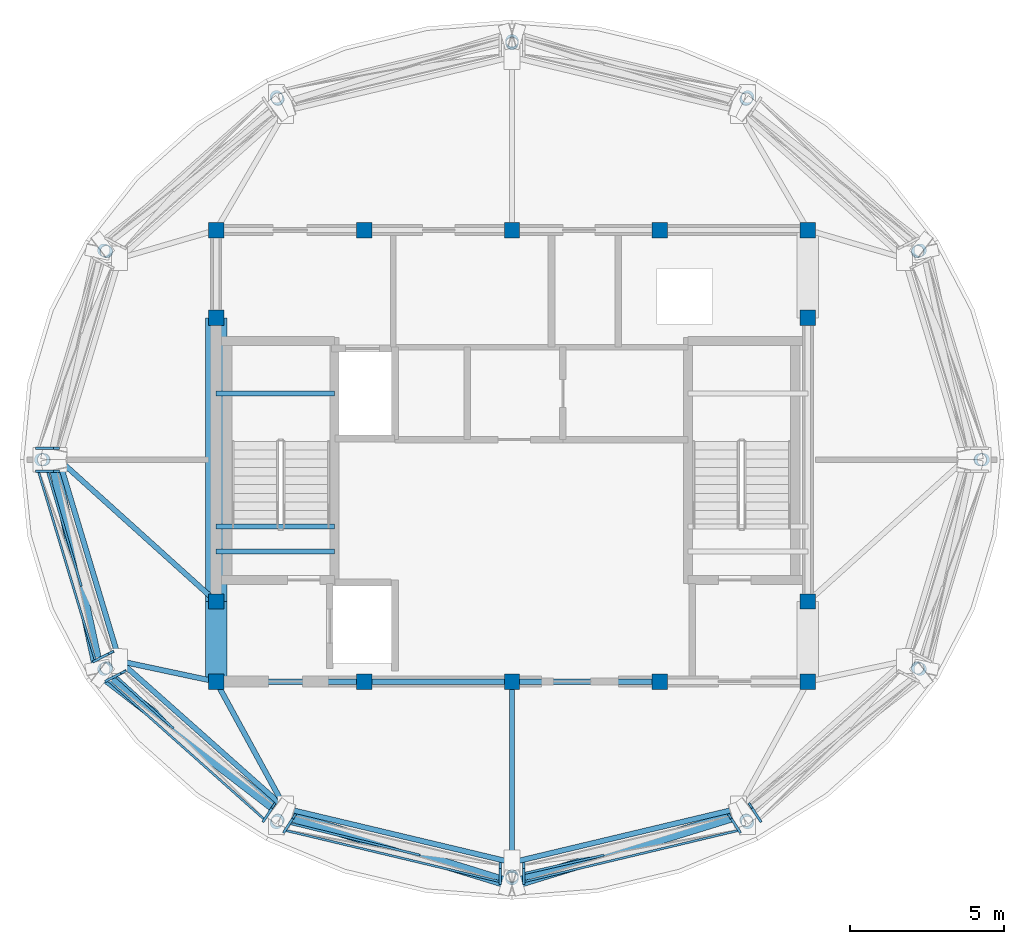
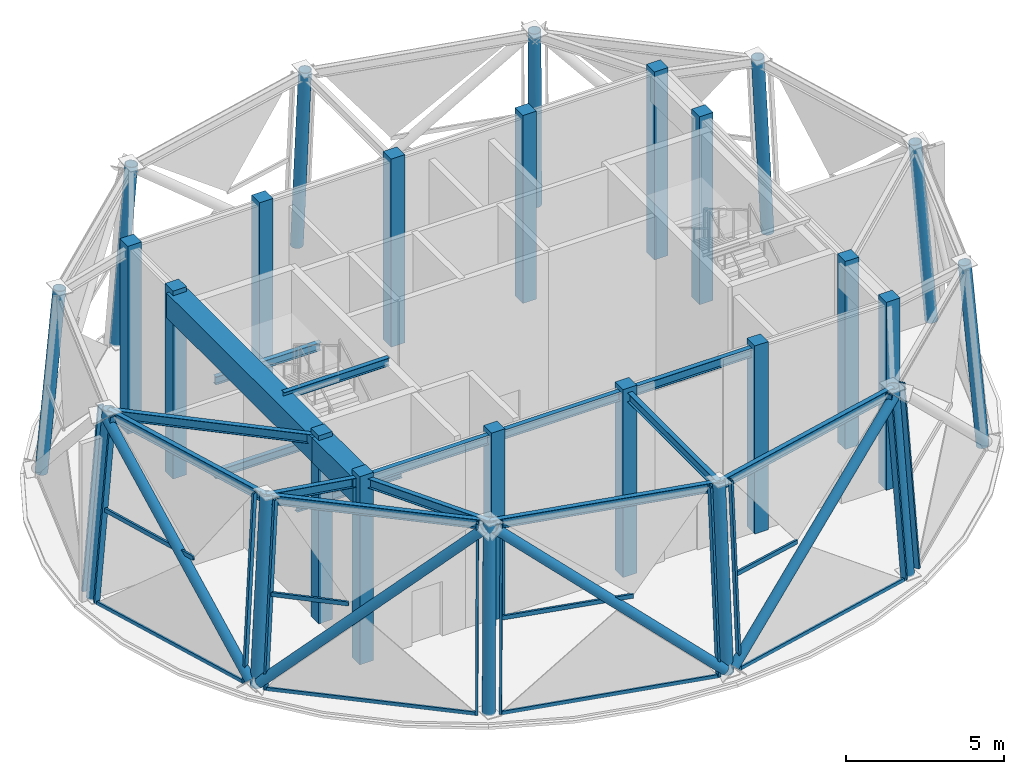
# One storey, part 1 of 8: 26 columns, 22 members, 17 beams, 6 elements without a shape of their own.
"""IFC4 building model written with IfcOpenShell, lengths in metres."""

from ifc_helpers import new_model, si_unit, direction, frame, origin, origin_2d, place, context, subcontext, project, spatial, rectangle, hollow_rectangle, hollow_circle, i_section, extrude, material, layer, layer_set, material_profile, profile_set, type_object, element, aggregate, save


model = new_model("IFC4")

# Units and contexts
model_context = context("Model", 3, precision=1e-05, world=origin(), true_north=direction((0.0, 1.0)))
body_context = subcontext(model_context, "Body", "Model", "MODEL_VIEW")
ifc_project = project(units=[si_unit("LENGTHUNIT", "METRE"), si_unit("AREAUNIT", "SQUARE_METRE"), si_unit("VOLUMEUNIT", "CUBIC_METRE"), si_unit("PLANEANGLEUNIT", "RADIAN"), si_unit("MASSUNIT", "GRAM", prefix="KILO")], contexts=[model_context])

# Site, building, storey
site_placement = place(None, origin())
site = spatial("IfcSite", under=ifc_project, at=site_placement, CompositionType="ELEMENT")
building_placement = place(site_placement, origin())
building = spatial("IfcBuilding", under=site, at=building_placement, Name="Vantalir Tower", CompositionType="ELEMENT")
storey_placement = place(building_placement, frame((0.0, 0.0, 326.25)))
storey = spatial("IfcBuildingStorey", under=building, at=storey_placement, Name="L79", CompositionType="ELEMENT", Elevation=326.25)

# Columns
ifc_material_1 = material(Name="Concrete C50/60", Category="concrete")
ifc_material_profile_1 = material_profile(ifc_material_1, rectangle(XDim=0.5, YDim=0.5, at=origin_2d()), Name="Concrete C50/60")
ifc_profile_set_1 = profile_set([ifc_material_profile_1], Name="Concrete C50/60")
column_type_1 = type_object("IfcColumnType", Name="COL-CC-500", PredefinedType="COLUMN", material=ifc_profile_set_1)
for number, where, z_axis, x_axis, name in (
    (1, (21.89990234375, 17.800048828125, 0.0), (0.0, 0.0, 1.0), (1.0, 0.0, 0.0), "L79 Core Column CC01"),
    (2, (26.699951171875, 17.800048828125, 0.0), (0.0, 0.0, 1.0), (1.0, 0.0, 0.0), "L79 Core Column CC02"),
    (3, (31.5, 17.800048828125, 0.0), (0.0, 0.0, 1.0), (1.0, 0.0, 0.0), "L79 Core Column CC03"),
    (4, (36.300048828125, 17.800048828125, 0.0), (0.0, 0.0, 1.0), (1.0, 0.0, 0.0), "L79 Core Column CC04"),
    (5, (41.10009765625, 17.800048828125, 0.0), (0.0, 0.0, 1.0), (1.0, 0.0, 0.0), "L79 Core Column CC05"),
    (6, (21.89990234375, 20.39990234375, 0.0), (0.0, 0.0, 1.0), (1.0, 0.0, 0.0), "L79 Core Column CC06"),
    (7, (21.89990234375, 29.60009765625, 0.0), (0.0, 0.0, 1.0), (1.0, 0.0, 0.0), "L79 Core Column CC07"),
    (8, (41.10009765625, 20.39990234375, 0.0), (0.0, 0.0, 1.0), (1.0, 0.0, 0.0), "L79 Core Column CC08"),
    (9, (41.10009765625, 29.60009765625, 0.0), (0.0, 0.0, 1.0), (1.0, 0.0, 0.0), "L79 Core Column CC09"),
    (10, (21.89990234375, 32.449951171875, 0.0), (0.0, 0.0, 1.0), (1.0, 0.0, 0.0), "L79 Core Column CC10"),
    (11, (26.699951171875, 32.449951171875, 0.0), (0.0, 0.0, 1.0), (1.0, 0.0, 0.0), "L79 Core Column CC11"),
    (12, (31.5, 32.449951171875, 0.0), (0.0, 0.0, 1.0), (1.0, 0.0, 0.0), "L79 Core Column CC12"),
    (13, (36.300048828125, 32.449951171875, 0.0), (0.0, 0.0, 1.0), (1.0, 0.0, 0.0), "L79 Core Column CC13"),
    (14, (41.10009765625, 32.449951171875, 0.0), (0.0, 0.0, 1.0), (1.0, 0.0, 0.0), "L79 Core Column CC14"),
):
    element("IfcColumn", number, at=place(storey_placement, frame(where, z_axis=z_axis, x_axis=x_axis)), inside=storey, type_object=column_type_1, Name=name, PredefinedType="COLUMN", context=body_context, shape_type="SweptSolid", body=[
        extrude(rectangle(XDim=0.5, YDim=0.5, at=origin_2d()), origin(), (0.0, 0.0, 1.0), 7.25),
    ])
ifc_material_2 = material(Name="Steel S460", Category="steel")
ifc_material_profile_2 = material_profile(ifc_material_2, hollow_circle(Radius=0.2099609375, WallThickness=0.02001953125, at=origin_2d()), Name="Steel S460")
ifc_profile_set_2 = profile_set([ifc_material_profile_2], Name="Steel S460")
column_type_2 = type_object("IfcColumnType", Name="COL-RC-420", PredefinedType="COLUMN", material=ifc_profile_set_2)
column_1_placement = place(storey_placement, frame((46.7880859375, 25.0, 0.0), z_axis=(-0.082763526371, 0.0, 0.996569214206), x_axis=(0.0, -1.0, 0.0)))
element("IfcColumn", 15, at=column_1_placement, inside=storey, type_object=column_type_2, Name="L79 Perimeter Ring Column RC01", PredefinedType="COLUMN", context=body_context, shape_type="SweptSolid", body=[
    extrude(hollow_circle(Radius=0.2099609375, WallThickness=0.02001953125, at=origin_2d()), origin(), (0.0, 0.0, 1.0), 7.094482421875),
])
column_2_placement = place(storey_placement, frame((44.739990234375, 31.794921875, 0.0), z_axis=(-0.071763463245, -0.036931508902, 0.996737713239), x_axis=(0.457588893393, -0.88916387952, 0.0)))
element("IfcColumn", 16, at=column_2_placement, inside=storey, type_object=column_type_2, Name="L79 Perimeter Ring Column RC02", PredefinedType="COLUMN", context=body_context, shape_type="SweptSolid", body=[
    extrude(hollow_circle(Radius=0.2099609375, WallThickness=0.02001953125, at=origin_2d()), origin(), (0.0, 0.0, 1.0), 7.09326171875),
])
column_3_placement = place(storey_placement, frame((39.14404296875, 36.77001953125, 0.0), z_axis=(-0.041317373804, -0.064041929397, 0.997091523332), x_axis=(0.840296648224, -0.542126869822, 0.0)))
element("IfcColumn", 17, at=column_3_placement, inside=storey, type_object=column_type_2, Name="L79 Perimeter Ring Column RC03", PredefinedType="COLUMN", context=body_context, shape_type="SweptSolid", body=[
    extrude(hollow_circle(Radius=0.2099609375, WallThickness=0.02001953125, at=origin_2d()), origin(), (0.0, 0.0, 1.0), 7.090576171875),
])
column_4_placement = place(storey_placement, frame((31.5, 38.591064453125, 0.0), z_axis=(0.0, -0.073936378182, 0.997262960298), x_axis=(1.0, 0.0, 0.0)))
element("IfcColumn", 18, at=column_4_placement, inside=storey, type_object=column_type_2, Name="L79 Perimeter Ring Column RC04", PredefinedType="COLUMN", context=body_context, shape_type="SweptSolid", body=[
    extrude(hollow_circle(Radius=0.2099609375, WallThickness=0.02001953125, at=origin_2d()), origin(), (0.0, 0.0, 1.0), 7.08935546875),
])
column_5_placement = place(storey_placement, frame((23.85595703125, 36.77001953125, 0.0), z_axis=(0.041454862096, -0.064041564367, 0.997085840057), x_axis=(0.839473273036, 0.54340097889, 0.0)))
element("IfcColumn", 19, at=column_5_placement, inside=storey, type_object=column_type_2, Name="L79 Perimeter Ring Column RC05", PredefinedType="COLUMN", context=body_context, shape_type="SweptSolid", body=[
    extrude(hollow_circle(Radius=0.2099609375, WallThickness=0.02001953125, at=origin_2d()), origin(), (0.0, 0.0, 1.0), 7.0908203125),
])
column_6_placement = place(storey_placement, frame((18.260009765625, 31.794921875, 0.0), z_axis=(0.071763463245, -0.036931508902, 0.996737713239), x_axis=(0.457588893393, 0.88916387952, 0.0)))
element("IfcColumn", 20, at=column_6_placement, inside=storey, type_object=column_type_2, Name="L79 Perimeter Ring Column RC06", PredefinedType="COLUMN", context=body_context, shape_type="SweptSolid", body=[
    extrude(hollow_circle(Radius=0.2099609375, WallThickness=0.02001953125, at=origin_2d()), origin(), (0.0, 0.0, 1.0), 7.09326171875),
])
column_7_placement = place(storey_placement, frame((16.2119140625, 25.0, 0.0), z_axis=(0.082763526371, 0.0, 0.996569214206), x_axis=(0.0, 1.0, 0.0)))
element("IfcColumn", 21, at=column_7_placement, inside=storey, type_object=column_type_2, Name="L79 Perimeter Ring Column RC07", PredefinedType="COLUMN", context=body_context, shape_type="SweptSolid", body=[
    extrude(hollow_circle(Radius=0.2099609375, WallThickness=0.02001953125, at=origin_2d()), origin(), (0.0, 0.0, 1.0), 7.094482421875),
])
column_8_placement = place(storey_placement, frame((18.260009765625, 18.2041015625, 0.0), z_axis=(0.071763463245, 0.036931508902, 0.996737713239), x_axis=(-0.457588893393, 0.88916387952, 0.0)))
element("IfcColumn", 22, at=column_8_placement, inside=storey, type_object=column_type_2, Name="L79 Perimeter Ring Column RC08", PredefinedType="COLUMN", context=body_context, shape_type="SweptSolid", body=[
    extrude(hollow_circle(Radius=0.2099609375, WallThickness=0.02001953125, at=origin_2d()), origin(), (0.0, 0.0, 1.0), 7.09326171875),
])
column_9_placement = place(storey_placement, frame((23.85595703125, 13.22998046875, 0.0), z_axis=(0.041317373804, 0.064041929397, 0.997091523332), x_axis=(-0.840296648224, 0.542126869822, 0.0)))
element("IfcColumn", 23, at=column_9_placement, inside=storey, type_object=column_type_2, Name="L79 Perimeter Ring Column RC09", PredefinedType="COLUMN", context=body_context, shape_type="SweptSolid", body=[
    extrude(hollow_circle(Radius=0.2099609375, WallThickness=0.02001953125, at=origin_2d()), origin(), (0.0, 0.0, 1.0), 7.090576171875),
])
column_10_placement = place(storey_placement, frame((31.5, 11.408935546875, 0.0), z_axis=(0.0, 0.073936378182, 0.997262960298), x_axis=(-1.0, 0.0, 0.0)))
element("IfcColumn", 24, at=column_10_placement, inside=storey, type_object=column_type_2, Name="L79 Perimeter Ring Column RC10", PredefinedType="COLUMN", context=body_context, shape_type="SweptSolid", body=[
    extrude(hollow_circle(Radius=0.2099609375, WallThickness=0.02001953125, at=origin_2d()), origin(), (0.0, 0.0, 1.0), 7.08935546875),
])
column_11_placement = place(storey_placement, frame((39.14404296875, 13.22998046875, 0.0), z_axis=(-0.041317373804, 0.064041929397, 0.997091523332), x_axis=(-0.840296648224, -0.542126869822, 0.0)))
element("IfcColumn", 25, at=column_11_placement, inside=storey, type_object=column_type_2, Name="L79 Perimeter Ring Column RC11", PredefinedType="COLUMN", context=body_context, shape_type="SweptSolid", body=[
    extrude(hollow_circle(Radius=0.2099609375, WallThickness=0.02001953125, at=origin_2d()), origin(), (0.0, 0.0, 1.0), 7.090576171875),
])
column_12_placement = place(storey_placement, frame((44.739990234375, 18.2041015625, 0.0), z_axis=(-0.071763463245, 0.036931508902, 0.996737713239), x_axis=(-0.457588893393, -0.88916387952, 0.0)))
element("IfcColumn", 26, at=column_12_placement, inside=storey, type_object=column_type_2, Name="L79 Perimeter Ring Column RC12", PredefinedType="COLUMN", context=body_context, shape_type="SweptSolid", body=[
    extrude(hollow_circle(Radius=0.2099609375, WallThickness=0.02001953125, at=origin_2d()), origin(), (0.0, 0.0, 1.0), 7.09326171875),
])

# Beams
ifc_material_3 = material(Name="Concrete C60/75", Category="concrete")
ifc_material_profile_3 = material_profile(ifc_material_3, rectangle(XDim=0.699951171875, YDim=0.949951171875, at=origin_2d()), Name="Concrete C60/75")
ifc_profile_set_3 = profile_set([ifc_material_profile_3], Name="Concrete C60/75")
beam_type_1 = type_object("IfcBeamType", Name="BM-CB-700x950", PredefinedType="USERDEFINED", material=ifc_profile_set_3)
beam_1_placement = place(storey_placement, frame((21.89990234375, 29.60009765625, 6.594970703125), z_axis=(0.0, -1.0, 0.0), x_axis=(1.0, 0.0, 0.0)))
element("IfcBeam", 27, at=beam_1_placement, inside=storey, type_object=beam_type_1, Name="L79 Core Coupling Girder 13", ObjectType="GIRDER", PredefinedType="USERDEFINED", context=body_context, shape_type="SweptSolid", body=[
    extrude(rectangle(XDim=0.699951171875, YDim=0.949951171875, at=origin_2d()), origin(), (0.0, 0.0, 1.0), 9.2001953125),
])
beam_2_placement = place(storey_placement, frame((21.89990234375, 20.39990234375, 6.594970703125), z_axis=(0.0, -1.0, 0.0), x_axis=(1.0, 0.0, 0.0)))
element("IfcBeam", 28, at=beam_2_placement, inside=storey, type_object=beam_type_1, Name="L79 Core Coupling Girder 14", ObjectType="GIRDER", PredefinedType="USERDEFINED", context=body_context, shape_type="SweptSolid", body=[
    extrude(rectangle(XDim=0.699951171875, YDim=0.949951171875, at=origin_2d()), origin(), (0.0, 0.0, 1.0), 2.599853515625),
])
ifc_material_4 = material(Name="Steel S355", Category="steel")
ifc_material_profile_4 = material_profile(ifc_material_4, i_section(OverallWidth=0.166015625, OverallDepth=0.306884765625, WebThickness=0.006591796875, FlangeThickness=0.01171875, at=origin_2d()), Name="Steel S355")
ifc_profile_set_4 = profile_set([ifc_material_profile_4], Name="Steel S355")
beam_type_2 = type_object("IfcBeamType", Name="BM-JS-305x165", PredefinedType="JOIST", material=ifc_profile_set_4)
for number, where, z_axis, x_axis, name in (
    (29, (21.89990234375, 22.8349609375, 7.095947265625), (1.0, 0.0, 0.0), (0.0, 1.0, 0.0), "L80 Stair ST1 Well Nosing Trimmer Beam"),
    (30, (21.89990234375, 27.14501953125, 1.458984375), (1.0, 0.0, 0.0), (0.0, 1.0, 0.0), "L79 Stair ST1 Half-Landing Support Beam"),
    (31, (21.89990234375, 22.02001953125, 3.27197265625), (1.0, 0.0, 0.0), (0.0, 1.0, 0.0), "L79 Stair ST1 Half-Landing Support Beam"),
    (32, (21.89990234375, 27.14501953125, 5.083984375), (1.0, 0.0, 0.0), (0.0, 1.0, 0.0), "L79 Stair ST1 Half-Landing Support Beam"),
):
    element("IfcBeam", number, at=place(storey_placement, frame(where, z_axis=z_axis, x_axis=x_axis)), inside=storey, type_object=beam_type_2, Name=name, PredefinedType="JOIST", context=body_context, shape_type="SweptSolid", body=[
        extrude(i_section(OverallWidth=0.166015625, OverallDepth=0.306884765625, WebThickness=0.006591796875, FlangeThickness=0.01171875, at=origin_2d()), origin(), (0.0, 0.0, 1.0), 3.840087890625),
    ])
ifc_material_profile_5 = material_profile(ifc_material_2, i_section(OverallWidth=0.172119140625, OverallDepth=0.35791015625, WebThickness=0.008056640625, FlangeThickness=0.012939453125, at=origin_2d()), Name="Steel S460")
ifc_profile_set_5 = profile_set([ifc_material_profile_5], Name="Steel S460")
beam_type_3 = type_object("IfcBeamType", Name="BM-RB-356x171", PredefinedType="BEAM", material=ifc_profile_set_5)
for number, where, z_axis, x_axis, name in (
    (33, (21.89990234375, 17.800048828125, 6.89111328125), (1.0, 0.0, 0.0), (0.0, 1.0, 0.0), "L79 Core Coupling Girder 01"),
    (34, (26.699951171875, 17.800048828125, 6.89111328125), (1.0, 0.0, 0.0), (0.0, 1.0, 0.0), "L79 Core Coupling Girder 02"),
    (35, (31.5, 17.800048828125, 6.89111328125), (1.0, 0.0, 0.0), (0.0, 1.0, 0.0), "L79 Core Coupling Girder 03"),
):
    element("IfcBeam", number, at=place(storey_placement, frame(where, z_axis=z_axis, x_axis=x_axis)), inside=storey, type_object=beam_type_3, Name=name, PredefinedType="BEAM", context=body_context, shape_type="SweptSolid", body=[
        extrude(i_section(OverallWidth=0.172119140625, OverallDepth=0.35791015625, WebThickness=0.008056640625, FlangeThickness=0.012939453125, at=origin_2d()), origin(), (0.0, 0.0, 1.0), 4.800048828125),
    ])
beam_3_placement = place(storey_placement, frame((16.799072265625, 25.0, 6.89111328125), z_axis=(0.288663718768, -0.957430549683, 0.0), x_axis=(0.957430549683, 0.288663718768, 0.0)))
element("IfcBeam", 36, at=beam_3_placement, inside=storey, type_object=beam_type_3, Name="L79 Circumferential Ring Girder 07", PredefinedType="BEAM", context=body_context, shape_type="SweptSolid", body=[
    extrude(i_section(OverallWidth=0.172119140625, OverallDepth=0.35791015625, WebThickness=0.008056640625, FlangeThickness=0.012939453125, at=origin_2d()), origin(), (0.0, 0.0, 1.0), 6.824462890625),
])
beam_4_placement = place(storey_placement, frame((16.799072265625, 25.0, 6.89111328125), z_axis=(0.742616862303, -0.669716504069, 0.0), x_axis=(0.669716504069, 0.742616862303, 0.0)))
element("IfcBeam", 37, at=beam_4_placement, inside=storey, type_object=beam_type_3, Name="L79 Radial Floor Beam 07", PredefinedType="BEAM", context=body_context, shape_type="SweptSolid", body=[
    extrude(i_section(OverallWidth=0.172119140625, OverallDepth=0.35791015625, WebThickness=0.008056640625, FlangeThickness=0.012939453125, at=origin_2d()), origin(), (0.0, 0.0, 1.0), 6.86865234375),
])
beam_5_placement = place(storey_placement, frame((18.76904296875, 18.466064453125, 6.89111328125), z_axis=(0.74741867532, -0.664353312465, 0.0), x_axis=(0.664353312465, 0.74741867532, 0.0)))
element("IfcBeam", 38, at=beam_5_placement, inside=storey, type_object=beam_type_3, Name="L79 Circumferential Ring Girder 08", PredefinedType="BEAM", context=body_context, shape_type="SweptSolid", body=[
    extrude(i_section(OverallWidth=0.172119140625, OverallDepth=0.35791015625, WebThickness=0.008056640625, FlangeThickness=0.012939453125, at=origin_2d()), origin(), (0.0, 0.0, 1.0), 7.197998046875),
])
beam_6_placement = place(storey_placement, frame((18.76904296875, 18.466064453125, 6.89111328125), z_axis=(0.978113856085, -0.208070383609, 0.0), x_axis=(0.208070383609, 0.978113856085, 0.0)))
element("IfcBeam", 39, at=beam_6_placement, inside=storey, type_object=beam_type_3, Name="L79 Radial Floor Beam 08", PredefinedType="BEAM", context=body_context, shape_type="SweptSolid", body=[
    extrude(i_section(OverallWidth=0.172119140625, OverallDepth=0.35791015625, WebThickness=0.008056640625, FlangeThickness=0.012939453125, at=origin_2d()), origin(), (0.0, 0.0, 1.0), 3.200927734375),
])
beam_7_placement = place(storey_placement, frame((24.14892578125, 13.68408203125, 6.89111328125), z_axis=(0.972784718253, -0.231710793733, 0.0), x_axis=(0.231710793733, 0.972784718253, 0.0)))
element("IfcBeam", 40, at=beam_7_placement, inside=storey, type_object=beam_type_3, Name="L79 Circumferential Ring Girder 09", PredefinedType="BEAM", context=body_context, shape_type="SweptSolid", body=[
    extrude(i_section(OverallWidth=0.172119140625, OverallDepth=0.35791015625, WebThickness=0.008056640625, FlangeThickness=0.012939453125, at=origin_2d()), origin(), (0.0, 0.0, 1.0), 7.556640625),
])
beam_8_placement = place(storey_placement, frame((24.14892578125, 13.68408203125, 6.89111328125), z_axis=(-0.479501155301, 0.87754124807, 0.0), x_axis=(-0.87754124807, -0.479501155301, 0.0)))
element("IfcBeam", 41, at=beam_8_placement, inside=storey, type_object=beam_type_3, Name="L79 Radial Floor Beam 09", PredefinedType="BEAM", context=body_context, shape_type="SweptSolid", body=[
    extrude(i_section(OverallWidth=0.172119140625, OverallDepth=0.35791015625, WebThickness=0.008056640625, FlangeThickness=0.012939453125, at=origin_2d()), origin(), (0.0, 0.0, 1.0), 4.6904296875),
])
beam_9_placement = place(storey_placement, frame((31.5, 11.93310546875, 6.89111328125), z_axis=(0.972784718253, 0.231710793733, 0.0), x_axis=(-0.231710793733, 0.972784718253, 0.0)))
element("IfcBeam", 42, at=beam_9_placement, inside=storey, type_object=beam_type_3, Name="L79 Circumferential Ring Girder 10", PredefinedType="BEAM", context=body_context, shape_type="SweptSolid", body=[
    extrude(i_section(OverallWidth=0.172119140625, OverallDepth=0.35791015625, WebThickness=0.008056640625, FlangeThickness=0.012939453125, at=origin_2d()), origin(), (0.0, 0.0, 1.0), 7.556640625),
])
beam_10_placement = place(storey_placement, frame((31.5, 11.93310546875, 6.89111328125), z_axis=(0.0, 1.0, 0.0), x_axis=(-1.0, 0.0, 0.0)))
element("IfcBeam", 43, at=beam_10_placement, inside=storey, type_object=beam_type_3, Name="L79 Radial Floor Beam 10", PredefinedType="BEAM", context=body_context, shape_type="SweptSolid", body=[
    extrude(i_section(OverallWidth=0.172119140625, OverallDepth=0.35791015625, WebThickness=0.008056640625, FlangeThickness=0.012939453125, at=origin_2d()), origin(), (0.0, 0.0, 1.0), 5.866943359375),
])

# Curtain wall, member
ifc_material_5 = material(Name="Champagne-silver PVDF aluminium and double-silver Low-E glass", Category="aluminium")
ifc_layer = layer(ifc_material_5, 0.25)
ifc_layer_set = layer_set([ifc_layer], Name="Champagne-silver PVDF aluminium and double-silver Low-E glass")
curtain_wall_type = type_object("IfcCurtainWallType", Name="CW-CROWN-PT", PredefinedType="USERDEFINED", material=ifc_layer_set)
curtain_wall_1_placement = place(storey_placement, origin())
curtain_wall_1 = element("IfcCurtainWall", 44, at=curtain_wall_1_placement, inside=storey, type_object=curtain_wall_type, Name="L79 Quilted Pyramid-Diamond Curtain Wall S06", ObjectType="UNITISED CURTAIN WALL", PredefinedType="USERDEFINED")
ifc_material_6 = material(Name="Champagne-silver PVDF aluminium 6063-T6", Category="aluminium")
ifc_material_profile_6 = material_profile(ifc_material_6, hollow_rectangle(XDim=0.080078125, YDim=0.199951171875, WallThickness=0.0048828125, at=origin_2d()), Name="Champagne-silver PVDF aluminium 6063-T6")
ifc_profile_set_6 = profile_set([ifc_material_profile_6], Name="Champagne-silver PVDF aluminium 6063-T6")
member_type_1 = type_object("IfcMemberType", Name="CWM-200x80", PredefinedType="MULLION", material=ifc_profile_set_6)
member_1_placement = place(storey_placement, frame((16.134033203125, 25.373046875, 0.044921875), z_axis=(0.083789655369, 0.0, 0.996483463813), x_axis=(0.0, 1.0, 0.0)))
member_1 = element("IfcMember", 45, at=member_1_placement, type_object=member_type_1, Name="CW-L79-S06 Mullion 2", PredefinedType="MULLION", context=body_context, shape_type="SweptSolid", body=[
    extrude(hollow_rectangle(XDim=0.080078125, YDim=0.199951171875, WallThickness=0.0048828125, at=origin_2d()), origin(), (0.0, 0.0, 1.0), 7.004638671875),
])
aggregate(curtain_wall_1, [member_1])

# Curtain wall, members
curtain_wall_2_placement = place(storey_placement, origin())
curtain_wall_2 = element("IfcCurtainWall", 46, at=curtain_wall_2_placement, inside=storey, type_object=curtain_wall_type, Name="L79 Quilted Pyramid-Diamond Curtain Wall S07", ObjectType="UNITISED CURTAIN WALL", PredefinedType="USERDEFINED")
member_2_placement = place(storey_placement, frame((16.134033203125, 24.626953125, 0.044921875), z_axis=(0.083789655369, 0.0, 0.996483463813), x_axis=(0.0, 1.0, 0.0)))
member_2 = element("IfcMember", 47, at=member_2_placement, type_object=member_type_1, Name="CW-L79-S07 Mullion 1", PredefinedType="MULLION", context=body_context, shape_type="SweptSolid", body=[
    extrude(hollow_rectangle(XDim=0.080078125, YDim=0.199951171875, WallThickness=0.0048828125, at=origin_2d()), origin(), (0.0, 0.0, 1.0), 7.004638671875),
])
member_3_placement = place(storey_placement, frame((17.98388671875, 18.48193359375, 0.044921875), z_axis=(0.072544830154, 0.037405383352, 0.996663476262), x_axis=(-0.4582838613, 0.888805885709, 0.0)))
member_3 = element("IfcMember", 48, at=member_3_placement, type_object=member_type_1, Name="CW-L79-S07 Mullion 2", PredefinedType="MULLION", context=body_context, shape_type="SweptSolid", body=[
    extrude(hollow_rectangle(XDim=0.080078125, YDim=0.199951171875, WallThickness=0.0048828125, at=origin_2d()), origin(), (0.0, 0.0, 1.0), 7.00341796875),
])

curtain_wall_3_placement = place(storey_placement, origin())
curtain_wall_3 = element("IfcCurtainWall", 49, at=curtain_wall_3_placement, inside=storey, type_object=curtain_wall_type, Name="L79 Quilted Pyramid-Diamond Curtain Wall S08", ObjectType="UNITISED CURTAIN WALL", PredefinedType="USERDEFINED")
member_4_placement = place(storey_placement, frame((18.386962890625, 17.85009765625, 0.044921875), z_axis=(0.072544830154, 0.037405383352, 0.996663476262), x_axis=(-0.4582838613, 0.888805885709, 0.0)))
member_4 = element("IfcMember", 50, at=member_4_placement, type_object=member_type_1, Name="CW-L79-S08 Mullion 1", PredefinedType="MULLION", context=body_context, shape_type="SweptSolid", body=[
    extrude(hollow_rectangle(XDim=0.080078125, YDim=0.199951171875, WallThickness=0.0048828125, at=origin_2d()), origin(), (0.0, 0.0, 1.0), 7.00341796875),
])
member_5_placement = place(storey_placement, frame((23.469970703125, 13.323974609375, 0.044921875), z_axis=(0.041847483716, 0.06486359976, 0.997016299532), x_axis=(-0.840296648224, 0.542126869822, 0.0)))
member_5 = element("IfcMember", 51, at=member_5_placement, type_object=member_type_1, Name="CW-L79-S08 Mullion 2", PredefinedType="MULLION", context=body_context, shape_type="SweptSolid", body=[
    extrude(hollow_rectangle(XDim=0.080078125, YDim=0.199951171875, WallThickness=0.0048828125, at=origin_2d()), origin(), (0.0, 0.0, 1.0), 7.0009765625),
])

curtain_wall_4_placement = place(storey_placement, origin())
curtain_wall_4 = element("IfcCurtainWall", 52, at=curtain_wall_4_placement, inside=storey, type_object=curtain_wall_type, Name="L79 Quilted Pyramid-Diamond Curtain Wall S09", ObjectType="UNITISED CURTAIN WALL", PredefinedType="USERDEFINED")
member_6_placement = place(storey_placement, frame((24.139892578125, 12.97509765625, 0.044921875), z_axis=(0.041882390185, 0.064828778812, 0.997017098565), x_axis=(-0.839957858415, 0.542651634188, 0.0)))
member_6 = element("IfcMember", 53, at=member_6_placement, type_object=member_type_1, Name="CW-L79-S09 Mullion 1", PredefinedType="MULLION", context=body_context, shape_type="SweptSolid", body=[
    extrude(hollow_rectangle(XDim=0.080078125, YDim=0.199951171875, WallThickness=0.0048828125, at=origin_2d()), origin(), (0.0, 0.0, 1.0), 7.0009765625),
])
member_7_placement = place(storey_placement, frame((31.12109375, 11.30908203125, 0.044921875), z_axis=(0.0, 0.074850645186, 0.99719475576), x_axis=(-1.0, 0.0, 0.0)))
member_7 = element("IfcMember", 54, at=member_7_placement, type_object=member_type_1, Name="CW-L79-S09 Mullion 2", PredefinedType="MULLION", context=body_context, shape_type="SweptSolid", body=[
    extrude(hollow_rectangle(XDim=0.080078125, YDim=0.199951171875, WallThickness=0.0048828125, at=origin_2d()), origin(), (0.0, 0.0, 1.0), 6.99951171875),
])

curtain_wall_5_placement = place(storey_placement, origin())
curtain_wall_5 = element("IfcCurtainWall", 55, at=curtain_wall_5_placement, inside=storey, type_object=curtain_wall_type, Name="L79 Quilted Pyramid-Diamond Curtain Wall S10", ObjectType="UNITISED CURTAIN WALL", PredefinedType="USERDEFINED")
member_8_placement = place(storey_placement, frame((31.87890625, 11.30908203125, 0.044921875), z_axis=(0.0, 0.074850645186, 0.99719475576), x_axis=(-1.0, 0.0, 0.0)))
member_8 = element("IfcMember", 56, at=member_8_placement, type_object=member_type_1, Name="CW-L79-S10 Mullion 1", PredefinedType="MULLION", context=body_context, shape_type="SweptSolid", body=[
    extrude(hollow_rectangle(XDim=0.080078125, YDim=0.199951171875, WallThickness=0.0048828125, at=origin_2d()), origin(), (0.0, 0.0, 1.0), 6.99951171875),
])
member_9_placement = place(storey_placement, frame((38.860107421875, 12.97509765625, 0.044921875), z_axis=(-0.041882390185, 0.064828778812, 0.997017098565), x_axis=(-0.839957858415, -0.542651634188, 0.0)))
member_9 = element("IfcMember", 57, at=member_9_placement, type_object=member_type_1, Name="CW-L79-S10 Mullion 2", PredefinedType="MULLION", context=body_context, shape_type="SweptSolid", body=[
    extrude(hollow_rectangle(XDim=0.080078125, YDim=0.199951171875, WallThickness=0.0048828125, at=origin_2d()), origin(), (0.0, 0.0, 1.0), 7.0009765625),
])

# Curtain wall, member
curtain_wall_6_placement = place(storey_placement, origin())
curtain_wall_6 = element("IfcCurtainWall", 58, at=curtain_wall_6_placement, inside=storey, type_object=curtain_wall_type, Name="L79 Quilted Pyramid-Diamond Curtain Wall S11", ObjectType="UNITISED CURTAIN WALL", PredefinedType="USERDEFINED")
member_10_placement = place(storey_placement, frame((39.530029296875, 13.323974609375, 0.044921875), z_axis=(-0.041847483716, 0.06486359976, 0.997016299532), x_axis=(-0.840296648224, -0.542126869822, 0.0)))
member_10 = element("IfcMember", 59, at=member_10_placement, type_object=member_type_1, Name="CW-L79-S11 Mullion 1", PredefinedType="MULLION", context=body_context, shape_type="SweptSolid", body=[
    extrude(hollow_rectangle(XDim=0.080078125, YDim=0.199951171875, WallThickness=0.0048828125, at=origin_2d()), origin(), (0.0, 0.0, 1.0), 7.0009765625),
])
aggregate(curtain_wall_6, [member_10])

# Member
ifc_material_profile_7 = material_profile(ifc_material_6, hollow_rectangle(XDim=0.070068359375, YDim=0.139892578125, WallThickness=0.00390625, at=origin_2d()), Name="Champagne-silver PVDF aluminium 6063-T6")
ifc_profile_set_7 = profile_set([ifc_material_profile_7], Name="Champagne-silver PVDF aluminium 6063-T6")
member_type_2 = type_object("IfcMemberType", Name="CWT-140x70", PredefinedType="USERDEFINED", material=ifc_profile_set_7)
member_11_placement = place(storey_placement, frame((16.134033203125, 24.626953125, 0.054931640625), z_axis=(0.288255215028, -0.957553617825, 0.0), x_axis=(0.957553617825, 0.288255215028, 0.0)))
member_11 = element("IfcMember", 60, at=member_11_placement, type_object=member_type_2, Name="CW-L79-S07 Sill Transom", ObjectType="TRANSOM", PredefinedType="USERDEFINED", context=body_context, shape_type="SweptSolid", body=[
    extrude(hollow_rectangle(XDim=0.070068359375, YDim=0.139892578125, WallThickness=0.00390625, at=origin_2d()), origin(), (0.0, 0.0, 1.0), 6.41748046875),
])

member_12_placement = place(storey_placement, frame((18.386962890625, 17.85009765625, 0.054931640625), z_axis=(0.746833123617, -0.665011492734, 0.0), x_axis=(0.665011492734, 0.746833123617, 0.0)))
member_12 = element("IfcMember", 61, at=member_12_placement, type_object=member_type_2, Name="CW-L79-S08 Sill Transom", ObjectType="TRANSOM", PredefinedType="USERDEFINED", context=body_context, shape_type="SweptSolid", body=[
    extrude(hollow_rectangle(XDim=0.070068359375, YDim=0.139892578125, WallThickness=0.00390625, at=origin_2d()), origin(), (0.0, 0.0, 1.0), 6.80615234375),
])

member_13_placement = place(storey_placement, frame((24.139892578125, 12.97509765625, 0.054931640625), z_axis=(0.972686006205, -0.232124822743, 0.0), x_axis=(0.232124822743, 0.972686006205, 0.0)))
member_13 = element("IfcMember", 62, at=member_13_placement, type_object=member_type_2, Name="CW-L79-S09 Sill Transom", ObjectType="TRANSOM", PredefinedType="USERDEFINED", context=body_context, shape_type="SweptSolid", body=[
    extrude(hollow_rectangle(XDim=0.070068359375, YDim=0.139892578125, WallThickness=0.00390625, at=origin_2d()), origin(), (0.0, 0.0, 1.0), 7.17724609375),
])

member_14_placement = place(storey_placement, frame((31.87890625, 11.30908203125, 0.054931640625), z_axis=(0.972686006205, 0.232124822743, 0.0), x_axis=(-0.232124822743, 0.972686006205, 0.0)))
member_14 = element("IfcMember", 63, at=member_14_placement, type_object=member_type_2, Name="CW-L79-S10 Sill Transom", ObjectType="TRANSOM", PredefinedType="USERDEFINED", context=body_context, shape_type="SweptSolid", body=[
    extrude(hollow_rectangle(XDim=0.070068359375, YDim=0.139892578125, WallThickness=0.00390625, at=origin_2d()), origin(), (0.0, 0.0, 1.0), 7.17724609375),
])

ifc_material_profile_8 = material_profile(ifc_material_6, hollow_rectangle(XDim=0.074951171875, YDim=0.159912109375, WallThickness=0.00390625, at=origin_2d()), Name="Champagne-silver PVDF aluminium 6063-T6")
ifc_profile_set_8 = profile_set([ifc_material_profile_8], Name="Champagne-silver PVDF aluminium 6063-T6")
member_type_3 = type_object("IfcMemberType", Name="CWT-160x75", PredefinedType="USERDEFINED", material=ifc_profile_set_8)
member_15_placement = place(storey_placement, frame((16.427978515625, 24.626953125, 3.534912109375), z_axis=(0.28231570368, -0.959321553732, 0.0), x_axis=(0.959321553732, 0.28231570368, 0.0)))
member_15 = element("IfcMember", 64, at=member_15_placement, type_object=member_type_3, Name="CW-L79-S07 Pyramid Fold Ridge Transom", ObjectType="TRANSOM", PredefinedType="USERDEFINED", context=body_context, shape_type="SweptSolid", body=[
    extrude(hollow_rectangle(XDim=0.074951171875, YDim=0.159912109375, WallThickness=0.00390625, at=origin_2d()), origin(), (0.0, 0.0, 1.0), 3.893310546875),
])

aggregate(curtain_wall_2, [member_2, member_3, member_11, member_15])

member_16_placement = place(storey_placement, frame((18.64111328125, 17.98095703125, 3.534912109375), z_axis=(0.740660897727, -0.671879032697, 0.0), x_axis=(0.671879032697, 0.740660897727, 0.0)))
member_16 = element("IfcMember", 65, at=member_16_placement, type_object=member_type_3, Name="CW-L79-S08 Pyramid Fold Ridge Transom", ObjectType="TRANSOM", PredefinedType="USERDEFINED", context=body_context, shape_type="SweptSolid", body=[
    extrude(hollow_rectangle(XDim=0.074951171875, YDim=0.159912109375, WallThickness=0.00390625, at=origin_2d()), origin(), (0.0, 0.0, 1.0), 2.52734375),
])

aggregate(curtain_wall_3, [member_4, member_5, member_12, member_16])

member_17_placement = place(storey_placement, frame((24.287109375, 13.201904296875, 3.534912109375), z_axis=(0.971414807064, -0.237388442465, 0.0), x_axis=(0.237388442465, 0.971414807064, 0.0)))
member_17 = element("IfcMember", 66, at=member_17_placement, type_object=member_type_3, Name="CW-L79-S09 Pyramid Fold Ridge Transom", ObjectType="TRANSOM", PredefinedType="USERDEFINED", context=body_context, shape_type="SweptSolid", body=[
    extrude(hollow_rectangle(XDim=0.074951171875, YDim=0.159912109375, WallThickness=0.00390625, at=origin_2d()), origin(), (0.0, 0.0, 1.0), 4.35546875),
])

aggregate(curtain_wall_4, [member_6, member_7, member_13, member_17])

member_18_placement = place(storey_placement, frame((31.87890625, 11.571044921875, 3.534912109375), z_axis=(0.97469996326, 0.223517296021, 0.0), x_axis=(-0.223517296021, 0.97469996326, 0.0)))
member_18 = element("IfcMember", 67, at=member_18_placement, type_object=member_type_3, Name="CW-L79-S10 Pyramid Fold Ridge Transom", ObjectType="TRANSOM", PredefinedType="USERDEFINED", context=body_context, shape_type="SweptSolid", body=[
    extrude(hollow_rectangle(XDim=0.074951171875, YDim=0.159912109375, WallThickness=0.00390625, at=origin_2d()), origin(), (0.0, 0.0, 1.0), 2.670654296875),
])

aggregate(curtain_wall_5, [member_8, member_9, member_14, member_18])

# Members
ifc_material_profile_9 = material_profile(ifc_material_2, hollow_circle(Radius=0.177490234375, WallThickness=0.02001953125, at=origin_2d()), Name="Steel S460")
ifc_profile_set_9 = profile_set([ifc_material_profile_9], Name="Steel S460")
member_type_4 = type_object("IfcMemberType", Name="MEM-DB-355x20", PredefinedType="BRACE", material=ifc_profile_set_9)
member_19_placement = place(storey_placement, frame((18.22412109375, 18.010009765625, 0.22900390625), z_axis=(0.583403906681, -0.449387124007, 0.676528709255), x_axis=(0.610235201783, 0.792220296701, 0.0)))
element("IfcMember", 68, at=member_19_placement, inside=storey, type_object=member_type_4, Name="L79 CROWN FRAME Diagrid Brace R22L", PredefinedType="BRACE", context=body_context, shape_type="SweptSolid", body=[
    extrude(hollow_circle(Radius=0.177490234375, WallThickness=0.02001953125, at=origin_2d()), origin(), (0.0, 0.0, 1.0), 9.7734375),
])
member_20_placement = place(storey_placement, frame((18.06298828125, 18.262939453125, 0.23388671875), z_axis=(-0.150664018043, 0.698024842355, 0.700044050844), x_axis=(-0.977489389461, -0.21098458117, 0.0)))
element("IfcMember", 69, at=member_20_placement, inside=storey, type_object=member_type_4, Name="L79 CROWN FRAME Diagrid Brace R22R", PredefinedType="BRACE", context=body_context, shape_type="SweptSolid", body=[
    extrude(hollow_circle(Radius=0.177490234375, WallThickness=0.02001953125, at=origin_2d()), origin(), (0.0, 0.0, 1.0), 9.430908203125),
])
for number, where, z_axis, x_axis, name in (
    (70, (31.656982421875, 11.26806640625, 0.22607421875), (0.714955302841, 0.220729876299, 0.663413322634), (-0.294993584575, 0.955499233417, 0.0), "L79 CROWN FRAME Diagrid Brace R28L"),
    (71, (31.343017578125, 11.26806640625, 0.22607421875), (-0.714955302841, 0.220729876299, 0.663413322634), (-0.294993584575, -0.955499233417, 0.0), "L79 CROWN FRAME Diagrid Brace R28R"),
):
    element("IfcMember", number, at=place(storey_placement, frame(where, z_axis=z_axis, x_axis=x_axis)), inside=storey, type_object=member_type_4, Name=name, PredefinedType="BRACE", context=body_context, shape_type="SweptSolid", body=[
        extrude(hollow_circle(Radius=0.177490234375, WallThickness=0.02001953125, at=origin_2d()), origin(), (0.0, 0.0, 1.0), 9.9755859375),
    ])

save(model, "model.ifc")
